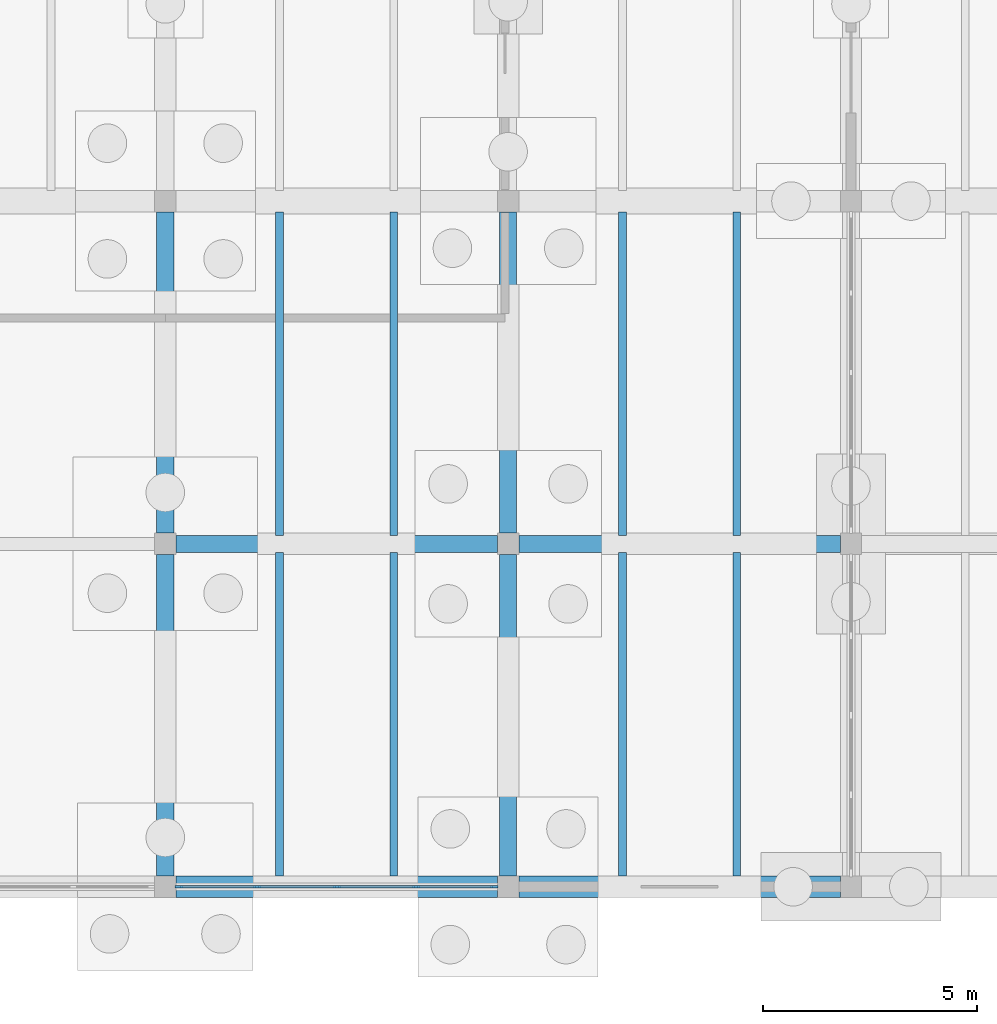
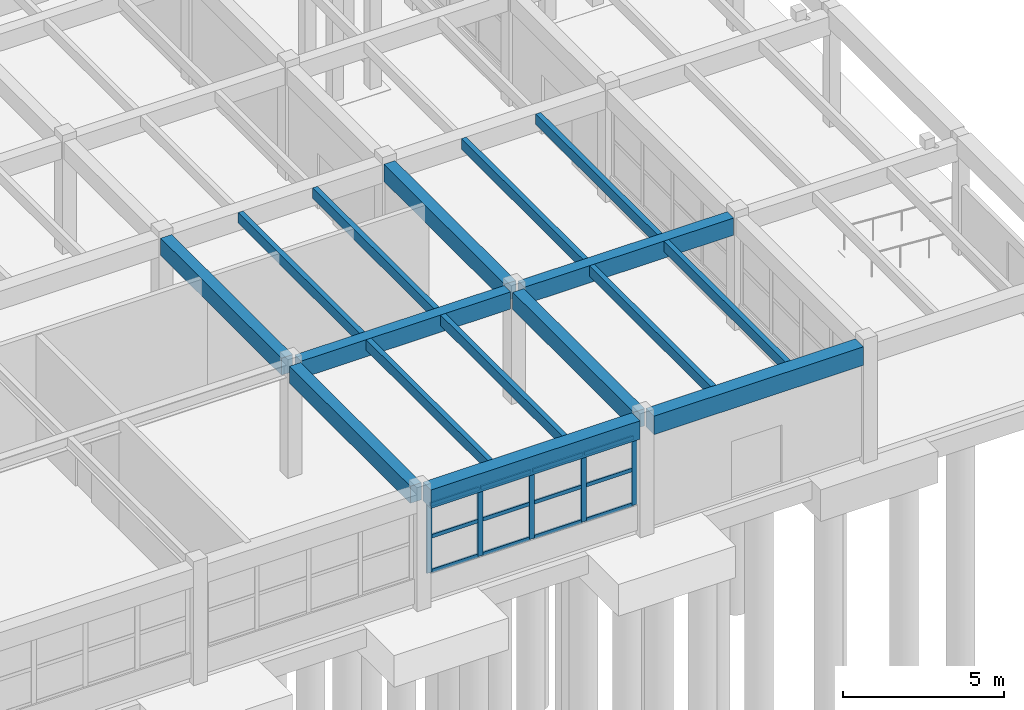
# One storey, part 14 of 99: 17 members, 16 beams, 1 element without a shape of its own.
"""IFC4 building model written with IfcOpenShell, lengths in metres."""

from ifc_helpers import new_model, si_unit, direction, frame, origin, origin_2d, place, context, subcontext, project, spatial, rectangle, extrude, material, layer, layer_set, material_profile, profile_set, type_object, element, aggregate, save


model = new_model("IFC4")

# Units and contexts
model_context = context("Model", 3, precision=1e-05, world=origin(), true_north=direction((0.0, 1.0)))
body_context = subcontext(model_context, "Body", "Model", "MODEL_VIEW")
ifc_project = project(units=[si_unit("LENGTHUNIT", "METRE"), si_unit("AREAUNIT", "SQUARE_METRE"), si_unit("VOLUMEUNIT", "CUBIC_METRE"), si_unit("PLANEANGLEUNIT", "RADIAN"), si_unit("MASSUNIT", "GRAM", prefix="KILO")], contexts=[model_context])

# Site, building, storey
site_placement = place(None, origin())
site = spatial("IfcSite", under=ifc_project, at=site_placement, CompositionType="ELEMENT")
building_placement = place(site_placement, origin())
building = spatial("IfcBuilding", under=site, at=building_placement, Name="Tonlespit Floodbar School", CompositionType="ELEMENT")
storey_placement = place(building_placement, origin())
storey = spatial("IfcBuildingStorey", under=building, at=storey_placement, Name="L00", CompositionType="ELEMENT", Elevation=0.0)

# Beams
ifc_material_1 = material(Name="Concrete C40/50", Category="concrete")
ifc_material_profile_1 = material_profile(ifc_material_1, rectangle(XDim=0.39990234375, YDim=0.64990234375, at=origin_2d()), Name="RC 400x650")
ifc_profile_set_1 = profile_set([ifc_material_profile_1], Name="Concrete C40/50")
beam_type_1 = type_object("IfcBeamType", Name="Beam_RC_400x650", PredefinedType="BEAM", material=ifc_profile_set_1)
for number, where, z_axis, x_axis, name in (
    (1, (20.25, 12.0, 3.9150390625), (1.0, 0.0, 0.0), (0.0, 1.0, 0.0), "L00 girder 0007"),
    (2, (28.25, 12.0, 3.9150390625), (1.0, 0.0, 0.0), (0.0, 1.0, 0.0), "L00 girder 0008"),
    (3, (20.0, 4.25, 3.9150390625), (0.0, 1.0, 0.0), (-1.0, 0.0, 0.0), "L00 girder 0184"),
    (4, (20.0, 12.25, 3.9150390625), (0.0, 1.0, 0.0), (-1.0, 0.0, 0.0), "L00 girder 0185"),
    (5, (28.0, 4.25, 3.9150390625), (0.0, 1.0, 0.0), (-1.0, 0.0, 0.0), "L00 girder 0197"),
    (6, (28.0, 12.25, 3.9150390625), (0.0, 1.0, 0.0), (-1.0, 0.0, 0.0), "L00 girder 0198"),
):
    element("IfcBeam", number, at=place(storey_placement, frame(where, z_axis=z_axis, x_axis=x_axis)), inside=storey, type_object=beam_type_1, Name=name, PredefinedType="BEAM", context=body_context, shape_type="SweptSolid", body=[
        extrude(rectangle(XDim=0.39990234375, YDim=0.64990234375, at=origin_2d()), origin(), (0.0, 0.0, 1.0), 7.5),
    ])

# Curtain wall, members
ifc_material_2 = material(Name="Anodised Aluminium", Category="aluminium")
ifc_layer = layer(ifc_material_2, 0.159912109375)
ifc_layer_set = layer_set([ifc_layer], Name="Anodised Aluminium")
curtain_wall_type = type_object("IfcCurtainWallType", Name="CurtainWall_7400x2600", PredefinedType="NOTDEFINED", material=ifc_layer_set)
curtain_wall_placement = place(storey_placement, origin())
curtain_wall = element("IfcCurtainWall", 7, at=curtain_wall_placement, inside=storey, type_object=curtain_wall_type, Name="L00 unitised curtain wall 0505", PredefinedType="NOTDEFINED")
ifc_material_profile_2 = material_profile(ifc_material_2, rectangle(XDim=0.06494140625, YDim=0.179931640625, at=origin_2d()), Name="ALU M65x180")
ifc_profile_set_2 = profile_set([ifc_material_profile_2], Name="Anodised Aluminium")
member_type_1 = type_object("IfcMemberType", Name="CW_Mullion_65x180", PredefinedType="MULLION", material=ifc_profile_set_2)
member_1_placement = place(storey_placement, frame((27.677490234375, 4.0, 0.949951171875), z_axis=(0.0, 0.0, 1.0), x_axis=(0.0, -1.0, 0.0)))
member_1 = element("IfcMember", 8, at=member_1_placement, type_object=member_type_1, Name="CW-52 mullion 1", PredefinedType="MULLION", context=body_context, shape_type="SweptSolid", body=[
    extrude(rectangle(XDim=0.06494140625, YDim=0.179931640625, at=origin_2d()), origin(), (0.0, 0.0, 1.0), 2.590087890625),
])
member_2_placement = place(storey_placement, frame((25.85498046875, 4.0, 0.949951171875), z_axis=(0.0, 0.0, 1.0), x_axis=(0.0, -1.0, 0.0)))
member_2 = element("IfcMember", 9, at=member_2_placement, type_object=member_type_1, Name="CW-52 mullion 2", PredefinedType="MULLION", context=body_context, shape_type="SweptSolid", body=[
    extrude(rectangle(XDim=0.06494140625, YDim=0.179931640625, at=origin_2d()), origin(), (0.0, 0.0, 1.0), 2.590087890625),
])
member_3_placement = place(storey_placement, frame((24.0, 4.0, 0.949951171875), z_axis=(0.0, 0.0, 1.0), x_axis=(0.0, -1.0, 0.0)))
member_3 = element("IfcMember", 10, at=member_3_placement, type_object=member_type_1, Name="CW-52 mullion 3", PredefinedType="MULLION", context=body_context, shape_type="SweptSolid", body=[
    extrude(rectangle(XDim=0.06494140625, YDim=0.179931640625, at=origin_2d()), origin(), (0.0, 0.0, 1.0), 2.590087890625),
])
member_4_placement = place(storey_placement, frame((22.14501953125, 4.0, 0.949951171875), z_axis=(0.0, 0.0, 1.0), x_axis=(0.0, -1.0, 0.0)))
member_4 = element("IfcMember", 11, at=member_4_placement, type_object=member_type_1, Name="CW-52 mullion 4", PredefinedType="MULLION", context=body_context, shape_type="SweptSolid", body=[
    extrude(rectangle(XDim=0.06494140625, YDim=0.179931640625, at=origin_2d()), origin(), (0.0, 0.0, 1.0), 2.590087890625),
])
member_5_placement = place(storey_placement, frame((20.322509765625, 4.0, 0.949951171875), z_axis=(0.0, 0.0, 1.0), x_axis=(0.0, -1.0, 0.0)))
member_5 = element("IfcMember", 12, at=member_5_placement, type_object=member_type_1, Name="CW-52 mullion 5", PredefinedType="MULLION", context=body_context, shape_type="SweptSolid", body=[
    extrude(rectangle(XDim=0.06494140625, YDim=0.179931640625, at=origin_2d()), origin(), (0.0, 0.0, 1.0), 2.590087890625),
])
ifc_material_profile_3 = material_profile(ifc_material_2, rectangle(XDim=0.06494140625, YDim=0.139892578125, at=origin_2d()), Name="ALU T65x140")
ifc_profile_set_3 = profile_set([ifc_material_profile_3], Name="Anodised Aluminium")
member_type_2 = type_object("IfcMemberType", Name="CW_Transom_65x140", PredefinedType="USERDEFINED", material=ifc_profile_set_3)
member_6_placement = place(storey_placement, frame((27.64501953125, 4.0, 0.982421875), z_axis=(-1.0, 0.0, 0.0), x_axis=(0.0, -1.0, 0.0)))
member_6 = element("IfcMember", 13, at=member_6_placement, type_object=member_type_2, Name="CW-52 transom 1.1", ObjectType="TRANSOM", PredefinedType="USERDEFINED", context=body_context, shape_type="SweptSolid", body=[
    extrude(rectangle(XDim=0.06494140625, YDim=0.139892578125, at=origin_2d()), origin(), (0.0, 0.0, 1.0), 1.757568359375),
])
member_7_placement = place(storey_placement, frame((27.64501953125, 4.0, 2.296875), z_axis=(-1.0, 0.0, 0.0), x_axis=(0.0, -1.0, 0.0)))
member_7 = element("IfcMember", 14, at=member_7_placement, type_object=member_type_2, Name="CW-52 transom 1.2", ObjectType="TRANSOM", PredefinedType="USERDEFINED", context=body_context, shape_type="SweptSolid", body=[
    extrude(rectangle(XDim=0.06494140625, YDim=0.139892578125, at=origin_2d()), origin(), (0.0, 0.0, 1.0), 1.757568359375),
])
member_8_placement = place(storey_placement, frame((27.64501953125, 4.0, 3.507568359375), z_axis=(-1.0, 0.0, 0.0), x_axis=(0.0, -1.0, 0.0)))
member_8 = element("IfcMember", 15, at=member_8_placement, type_object=member_type_2, Name="CW-52 transom 1.3", ObjectType="TRANSOM", PredefinedType="USERDEFINED", context=body_context, shape_type="SweptSolid", body=[
    extrude(rectangle(XDim=0.06494140625, YDim=0.139892578125, at=origin_2d()), origin(), (0.0, 0.0, 1.0), 1.757568359375),
])
member_9_placement = place(storey_placement, frame((25.822509765625, 4.0, 0.982421875), z_axis=(-1.0, 0.0, 0.0), x_axis=(0.0, -1.0, 0.0)))
member_9 = element("IfcMember", 16, at=member_9_placement, type_object=member_type_2, Name="CW-52 transom 2.1", ObjectType="TRANSOM", PredefinedType="USERDEFINED", context=body_context, shape_type="SweptSolid", body=[
    extrude(rectangle(XDim=0.06494140625, YDim=0.139892578125, at=origin_2d()), origin(), (0.0, 0.0, 1.0), 1.7900390625),
])
member_10_placement = place(storey_placement, frame((25.822509765625, 4.0, 2.296875), z_axis=(-1.0, 0.0, 0.0), x_axis=(0.0, -1.0, 0.0)))
member_10 = element("IfcMember", 17, at=member_10_placement, type_object=member_type_2, Name="CW-52 transom 2.2", ObjectType="TRANSOM", PredefinedType="USERDEFINED", context=body_context, shape_type="SweptSolid", body=[
    extrude(rectangle(XDim=0.06494140625, YDim=0.139892578125, at=origin_2d()), origin(), (0.0, 0.0, 1.0), 1.7900390625),
])
member_11_placement = place(storey_placement, frame((25.822509765625, 4.0, 3.507568359375), z_axis=(-1.0, 0.0, 0.0), x_axis=(0.0, -1.0, 0.0)))
member_11 = element("IfcMember", 18, at=member_11_placement, type_object=member_type_2, Name="CW-52 transom 2.3", ObjectType="TRANSOM", PredefinedType="USERDEFINED", context=body_context, shape_type="SweptSolid", body=[
    extrude(rectangle(XDim=0.06494140625, YDim=0.139892578125, at=origin_2d()), origin(), (0.0, 0.0, 1.0), 1.7900390625),
])
member_12_placement = place(storey_placement, frame((23.967529296875, 4.0, 0.982421875), z_axis=(-1.0, 0.0, 0.0), x_axis=(0.0, -1.0, 0.0)))
member_12 = element("IfcMember", 19, at=member_12_placement, type_object=member_type_2, Name="CW-52 transom 3.1", ObjectType="TRANSOM", PredefinedType="USERDEFINED", context=body_context, shape_type="SweptSolid", body=[
    extrude(rectangle(XDim=0.06494140625, YDim=0.139892578125, at=origin_2d()), origin(), (0.0, 0.0, 1.0), 1.7900390625),
])
member_13_placement = place(storey_placement, frame((23.967529296875, 4.0, 2.296875), z_axis=(-1.0, 0.0, 0.0), x_axis=(0.0, -1.0, 0.0)))
member_13 = element("IfcMember", 20, at=member_13_placement, type_object=member_type_2, Name="CW-52 transom 3.2", ObjectType="TRANSOM", PredefinedType="USERDEFINED", context=body_context, shape_type="SweptSolid", body=[
    extrude(rectangle(XDim=0.06494140625, YDim=0.139892578125, at=origin_2d()), origin(), (0.0, 0.0, 1.0), 1.7900390625),
])
member_14_placement = place(storey_placement, frame((23.967529296875, 4.0, 3.507568359375), z_axis=(-1.0, 0.0, 0.0), x_axis=(0.0, -1.0, 0.0)))
member_14 = element("IfcMember", 21, at=member_14_placement, type_object=member_type_2, Name="CW-52 transom 3.3", ObjectType="TRANSOM", PredefinedType="USERDEFINED", context=body_context, shape_type="SweptSolid", body=[
    extrude(rectangle(XDim=0.06494140625, YDim=0.139892578125, at=origin_2d()), origin(), (0.0, 0.0, 1.0), 1.7900390625),
])
member_15_placement = place(storey_placement, frame((22.112548828125, 4.0, 0.982421875), z_axis=(-1.0, 0.0, 0.0), x_axis=(0.0, -1.0, 0.0)))
member_15 = element("IfcMember", 22, at=member_15_placement, type_object=member_type_2, Name="CW-52 transom 4.1", ObjectType="TRANSOM", PredefinedType="USERDEFINED", context=body_context, shape_type="SweptSolid", body=[
    extrude(rectangle(XDim=0.06494140625, YDim=0.139892578125, at=origin_2d()), origin(), (0.0, 0.0, 1.0), 1.757568359375),
])
member_16_placement = place(storey_placement, frame((22.112548828125, 4.0, 2.296875), z_axis=(-1.0, 0.0, 0.0), x_axis=(0.0, -1.0, 0.0)))
member_16 = element("IfcMember", 23, at=member_16_placement, type_object=member_type_2, Name="CW-52 transom 4.2", ObjectType="TRANSOM", PredefinedType="USERDEFINED", context=body_context, shape_type="SweptSolid", body=[
    extrude(rectangle(XDim=0.06494140625, YDim=0.139892578125, at=origin_2d()), origin(), (0.0, 0.0, 1.0), 1.757568359375),
])
member_17_placement = place(storey_placement, frame((22.112548828125, 4.0, 3.507568359375), z_axis=(-1.0, 0.0, 0.0), x_axis=(0.0, -1.0, 0.0)))
member_17 = element("IfcMember", 24, at=member_17_placement, type_object=member_type_2, Name="CW-52 transom 4.3", ObjectType="TRANSOM", PredefinedType="USERDEFINED", context=body_context, shape_type="SweptSolid", body=[
    extrude(rectangle(XDim=0.06494140625, YDim=0.139892578125, at=origin_2d()), origin(), (0.0, 0.0, 1.0), 1.757568359375),
])
aggregate(curtain_wall, [member_1, member_2, member_3, member_4, member_5, member_6, member_7, member_8, member_9, member_10, member_11, member_12, member_13, member_14, member_15, member_16, member_17])

# Beams
ifc_material_3 = material(Name="Glulam GL28h", Category="wood")
ifc_material_profile_4 = material_profile(ifc_material_3, rectangle(XDim=0.179931640625, YDim=0.39990234375, at=origin_2d()), Name="GL 180x400")
ifc_profile_set_4 = profile_set([ifc_material_profile_4], Name="Glulam GL28h")
beam_type_2 = type_object("IfcBeamType", Name="Joist_GL_180x400", PredefinedType="JOIST", material=ifc_profile_set_4)
for number, where, z_axis, x_axis, name in (
    (25, (22.666748046875, 4.25, 4.0400390625), (0.0, 1.0, 0.0), (-1.0, 0.0, 0.0), "L00 secondary joist 0335"),
    (26, (25.333251953125, 4.25, 4.0400390625), (0.0, 1.0, 0.0), (-1.0, 0.0, 0.0), "L00 secondary joist 0336"),
    (27, (30.666748046875, 4.25, 4.0400390625), (0.0, 1.0, 0.0), (-1.0, 0.0, 0.0), "L00 secondary joist 0337"),
    (28, (33.333251953125, 4.25, 4.0400390625), (0.0, 1.0, 0.0), (-1.0, 0.0, 0.0), "L00 secondary joist 0338"),
    (29, (22.666748046875, 12.199951171875, 4.0400390625), (0.0, 1.0, 0.0), (-1.0, 0.0, 0.0), "L00 secondary joist 0341"),
    (30, (25.333251953125, 12.199951171875, 4.0400390625), (0.0, 1.0, 0.0), (-1.0, 0.0, 0.0), "L00 secondary joist 0342"),
    (31, (30.666748046875, 12.199951171875, 4.0400390625), (0.0, 1.0, 0.0), (-1.0, 0.0, 0.0), "L00 secondary joist 0343"),
    (32, (33.333251953125, 12.199951171875, 4.0400390625), (0.0, 1.0, 0.0), (-1.0, 0.0, 0.0), "L00 secondary joist 0344"),
):
    element("IfcBeam", number, at=place(storey_placement, frame(where, z_axis=z_axis, x_axis=x_axis)), inside=storey, type_object=beam_type_2, Name=name, PredefinedType="JOIST", context=body_context, shape_type="SweptSolid", body=[
        extrude(rectangle(XDim=0.179931640625, YDim=0.39990234375, at=origin_2d()), origin(), (0.0, 0.0, 1.0), 7.550048828125),
    ])
ifc_material_profile_5 = material_profile(ifc_material_1, rectangle(XDim=0.5, YDim=0.699951171875, at=origin_2d()), Name="RC 500x700")
ifc_profile_set_5 = profile_set([ifc_material_profile_5], Name="Concrete C40/50")
beam_type_3 = type_object("IfcBeamType", Name="Spandrel_RC_500x700", PredefinedType="SPANDREL", material=ifc_profile_set_5)
for number, where, z_axis, x_axis, name in (
    (33, (20.25, 4.0, 3.889892578125), (1.0, 0.0, 0.0), (0.0, 1.0, 0.0), "L00 girder 0003"),
    (34, (28.25, 4.0, 3.889892578125), (1.0, 0.0, 0.0), (0.0, 1.0, 0.0), "L00 girder 0004"),
):
    element("IfcBeam", number, at=place(storey_placement, frame(where, z_axis=z_axis, x_axis=x_axis)), inside=storey, type_object=beam_type_3, Name=name, PredefinedType="SPANDREL", context=body_context, shape_type="SweptSolid", body=[
        extrude(rectangle(XDim=0.5, YDim=0.699951171875, at=origin_2d()), origin(), (0.0, 0.0, 1.0), 7.5),
    ])

save(model, "model.ifc")
